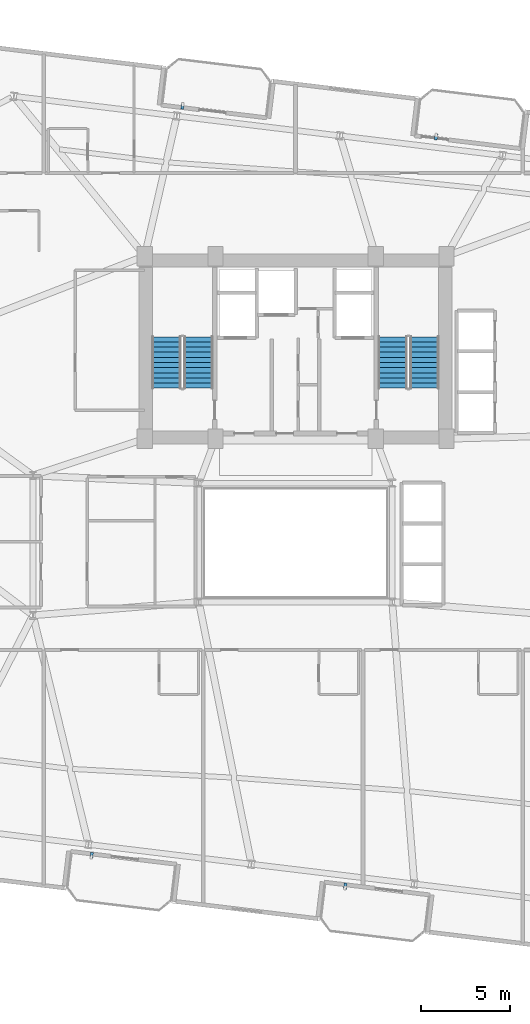
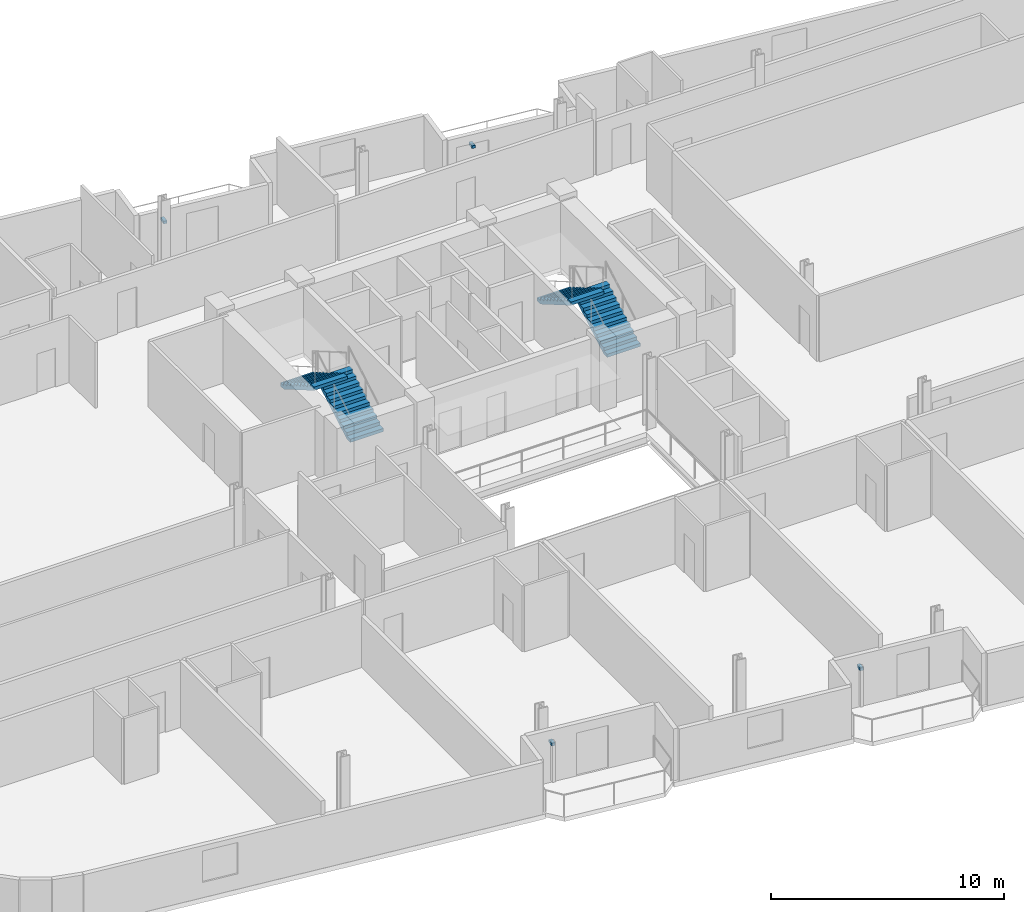
# One storey, part 24 of 26: 4 discrete accessories, 4 stair flights, 2 elements without a shape of their own.
"""IFC4 building model written with IfcOpenShell, lengths in metres."""

from ifc_helpers import new_model, si_unit, direction, frame, origin, origin_2d, place, context, subcontext, project, spatial, polyline, rectangle, outline, extrude, source, transform, mapped, material, type_object, element, aggregate, save


model = new_model("IFC4")

# Units and contexts
model_context = context("Model", 3, precision=1e-05, world=origin(), true_north=direction((0.0, 1.0)))
body_context = subcontext(model_context, "Body", "Model", "MODEL_VIEW")
ifc_project = project(units=[si_unit("LENGTHUNIT", "METRE"), si_unit("AREAUNIT", "SQUARE_METRE"), si_unit("VOLUMEUNIT", "CUBIC_METRE"), si_unit("PLANEANGLEUNIT", "RADIAN"), si_unit("MASSUNIT", "GRAM", prefix="KILO")], contexts=[model_context])

# Site, building, storey
site_placement = place(None, origin())
site = spatial("IfcSite", under=ifc_project, at=site_placement, CompositionType="ELEMENT")
building_placement = place(site_placement, origin())
building = spatial("IfcBuilding", under=site, at=building_placement, Name="Varnelok Gate Tower", CompositionType="ELEMENT")
storey_placement = place(building_placement, frame((0.0, 0.0, 147.60009765625)))
storey = spatial("IfcBuildingStorey", under=building, at=storey_placement, Name="L37", CompositionType="ELEMENT", Elevation=147.60009765625)

# Stair, stair flights
ifc_material_1 = material(Name="Concrete C50/60", Category="concrete")
stair_type = type_object("IfcStairType", Name="STR-CORE-1650", PredefinedType="HALF_TURN_STAIR", material=ifc_material_1)
stair_1_placement = place(storey_placement, origin())
stair_1 = element("IfcStair", 1, at=stair_1_placement, inside=storey, type_object=stair_type, Name="L37 Exit Stair ST-1", PredefinedType="HALF_TURN_STAIR")
stair_flight_type = type_object("IfcStairFlightType", Name="SFL-CORE-1650", PredefinedType="STRAIGHT", material=ifc_material_1)
stair_flight_1_placement = place(storey_placement, frame((33.72509765625, 31.60009765625, 0.0), z_axis=(0.0, 0.0, 1.0), x_axis=(0.0, 1.0, 0.0)))
stair_flight_1 = element("IfcStairFlight", 2, at=stair_flight_1_placement, type_object=stair_flight_type, Name="ST-1 flight 1", NumberOfRisers=11, NumberOfTreads=10, PredefinedType="STRAIGHT", RiserHeight=0.168181818, TreadLength=0.29, context=body_context, shape_type="SweptSolid", body=[
    extrude(outline(polyline([(0.0, 0.0), (0.0, 0.168212890625), (0.2900390625, 0.168212890625), (0.2900390625, 0.33642578125), (0.580078125, 0.33642578125), (0.580078125, 0.504638671875), (0.8701171875, 0.504638671875), (0.8701171875, 0.672607421875), (1.159912109375, 0.672607421875), (1.159912109375, 0.8408203125), (1.449951171875, 0.8408203125), (1.449951171875, 1.009033203125), (1.739990234375, 1.009033203125), (1.739990234375, 1.17724609375), (2.030029296875, 1.17724609375), (2.030029296875, 1.345458984375), (2.320068359375, 1.345458984375), (2.320068359375, 1.513671875), (2.610107421875, 1.513671875), (2.610107421875, 1.681884765625), (2.89990234375, 1.681884765625), (2.89990234375, 1.85009765625), (2.89990234375, 1.508544921875), (0.298828125, 0.0), (0.0, 0.0)])), frame((0.0, 0.824951171875, 0.0), z_axis=(0.0, -1.0, 0.0), x_axis=(1.0, 0.0, 0.0)), (0.0, 0.0, 1.0), 1.64990234375),
])
stair_flight_2_placement = place(storey_placement, frame((31.925048828125, 34.5, 1.849853515625), z_axis=(0.0, 0.0, 1.0), x_axis=(0.0, -1.0, 0.0)))
stair_flight_2 = element("IfcStairFlight", 3, at=stair_flight_2_placement, type_object=stair_flight_type, Name="ST-1 flight 2", NumberOfRisers=11, NumberOfTreads=10, PredefinedType="STRAIGHT", RiserHeight=0.168181818, TreadLength=0.29, context=body_context, shape_type="SweptSolid", body=[
    extrude(outline(polyline([(0.0, 0.0), (0.0, 0.168212890625), (0.2900390625, 0.168212890625), (0.2900390625, 0.33642578125), (0.580078125, 0.33642578125), (0.580078125, 0.504638671875), (0.8701171875, 0.504638671875), (0.8701171875, 0.672607421875), (1.159912109375, 0.672607421875), (1.159912109375, 0.8408203125), (1.449951171875, 0.8408203125), (1.449951171875, 1.009033203125), (1.739990234375, 1.009033203125), (1.739990234375, 1.17724609375), (2.030029296875, 1.17724609375), (2.030029296875, 1.345458984375), (2.320068359375, 1.345458984375), (2.320068359375, 1.513671875), (2.610107421875, 1.513671875), (2.610107421875, 1.681884765625), (2.89990234375, 1.681884765625), (2.89990234375, 1.85009765625), (2.89990234375, 1.508544921875), (0.298828125, 0.0), (0.0, 0.0)])), frame((0.0, 0.824951171875, 0.0), z_axis=(0.0, -1.0, 0.0), x_axis=(1.0, 0.0, 0.0)), (0.0, 0.0, 1.0), 1.64990234375),
])
aggregate(stair_1, [stair_flight_1, stair_flight_2])

stair_2_placement = place(storey_placement, origin())
stair_2 = element("IfcStair", 4, at=stair_2_placement, inside=storey, type_object=stair_type, Name="L37 Exit Stair ST-2", PredefinedType="HALF_TURN_STAIR")
stair_flight_3_placement = place(storey_placement, frame((46.47509765625, 31.60009765625, 0.0), z_axis=(0.0, 0.0, 1.0), x_axis=(0.0, 1.0, 0.0)))
stair_flight_3 = element("IfcStairFlight", 5, at=stair_flight_3_placement, type_object=stair_flight_type, Name="ST-2 flight 1", NumberOfRisers=11, NumberOfTreads=10, PredefinedType="STRAIGHT", RiserHeight=0.168181818, TreadLength=0.29, context=body_context, shape_type="SweptSolid", body=[
    extrude(outline(polyline([(0.0, 0.0), (0.0, 0.168212890625), (0.2900390625, 0.168212890625), (0.2900390625, 0.33642578125), (0.580078125, 0.33642578125), (0.580078125, 0.504638671875), (0.8701171875, 0.504638671875), (0.8701171875, 0.672607421875), (1.159912109375, 0.672607421875), (1.159912109375, 0.8408203125), (1.449951171875, 0.8408203125), (1.449951171875, 1.009033203125), (1.739990234375, 1.009033203125), (1.739990234375, 1.17724609375), (2.030029296875, 1.17724609375), (2.030029296875, 1.345458984375), (2.320068359375, 1.345458984375), (2.320068359375, 1.513671875), (2.610107421875, 1.513671875), (2.610107421875, 1.681884765625), (2.89990234375, 1.681884765625), (2.89990234375, 1.85009765625), (2.89990234375, 1.508544921875), (0.298828125, 0.0), (0.0, 0.0)])), frame((0.0, 0.824951171875, 0.0), z_axis=(0.0, -1.0, 0.0), x_axis=(1.0, 0.0, 0.0)), (0.0, 0.0, 1.0), 1.64990234375),
])
stair_flight_4_placement = place(storey_placement, frame((44.675048828125, 34.5, 1.849853515625), z_axis=(0.0, 0.0, 1.0), x_axis=(0.0, -1.0, 0.0)))
stair_flight_4 = element("IfcStairFlight", 6, at=stair_flight_4_placement, type_object=stair_flight_type, Name="ST-2 flight 2", NumberOfRisers=11, NumberOfTreads=10, PredefinedType="STRAIGHT", RiserHeight=0.168181818, TreadLength=0.29, context=body_context, shape_type="SweptSolid", body=[
    extrude(outline(polyline([(0.0, 0.0), (0.0, 0.168212890625), (0.2900390625, 0.168212890625), (0.2900390625, 0.33642578125), (0.580078125, 0.33642578125), (0.580078125, 0.504638671875), (0.8701171875, 0.504638671875), (0.8701171875, 0.672607421875), (1.159912109375, 0.672607421875), (1.159912109375, 0.8408203125), (1.449951171875, 0.8408203125), (1.449951171875, 1.009033203125), (1.739990234375, 1.009033203125), (1.739990234375, 1.17724609375), (2.030029296875, 1.17724609375), (2.030029296875, 1.345458984375), (2.320068359375, 1.345458984375), (2.320068359375, 1.513671875), (2.610107421875, 1.513671875), (2.610107421875, 1.681884765625), (2.89990234375, 1.681884765625), (2.89990234375, 1.85009765625), (2.89990234375, 1.508544921875), (0.298828125, 0.0), (0.0, 0.0)])), frame((0.0, 0.824951171875, 0.0), z_axis=(0.0, -1.0, 0.0), x_axis=(1.0, 0.0, 0.0)), (0.0, 0.0, 1.0), 1.64990234375),
])
aggregate(stair_2, [stair_flight_3, stair_flight_4])

# Discrete accessories
ifc_material_2 = material(Name="Structural Steel ASTM A500 Grade C", Category="steel")
discrete_accessory_type = type_object("IfcDiscreteAccessoryType", Name="ACC-BAGUETTE-BRK", PredefinedType="BRACKET", material=ifc_material_2)
shared_shape = source(origin(), body_context, "Body", "SweptSolid", [
    extrude(rectangle(XDim=0.159912109375, YDim=0.340087890625, at=origin_2d()), origin(), (0.0, 0.0, 1.0), 0.139892578125),
])
for number, where, z_axis, x_axis, name in (
    (7, (27.705810546875, 5.267578125, 1.97998046875), (0.0, 0.0, 1.0), (0.992732158755, -0.12034475881, 0.0), "L37 Terracotta Baguette Bracket 1.1"),
    (8, (42.0009765625, 3.53466796875, 1.97998046875), (0.0, 0.0, 1.0), (0.992732158755, -0.12034475881, 0.0), "L37 Terracotta Baguette Bracket 2.1"),
    (9, (32.8251953125, 47.49853515625, 1.97998046875), (0.0, 0.0, 1.0), (0.992732158755, -0.12034475881, 0.0), "L37 Terracotta Baguette Bracket 3.1"),
    (10, (47.12060546875, 45.765625, 1.97998046875), (0.0, 0.0, 1.0), (0.992732158755, -0.12034475881, 0.0), "L37 Terracotta Baguette Bracket 4.1"),
):
    element("IfcDiscreteAccessory", number, at=place(storey_placement, frame(where, z_axis=z_axis, x_axis=x_axis)), inside=storey, type_object=discrete_accessory_type, Name=name, PredefinedType="BRACKET", context=body_context, shape_type="MappedRepresentation", body=[
        mapped(shared_shape, transform((0.0, 0.0, 0.0), scale=1.0)),
    ])

save(model, "model.ifc")
